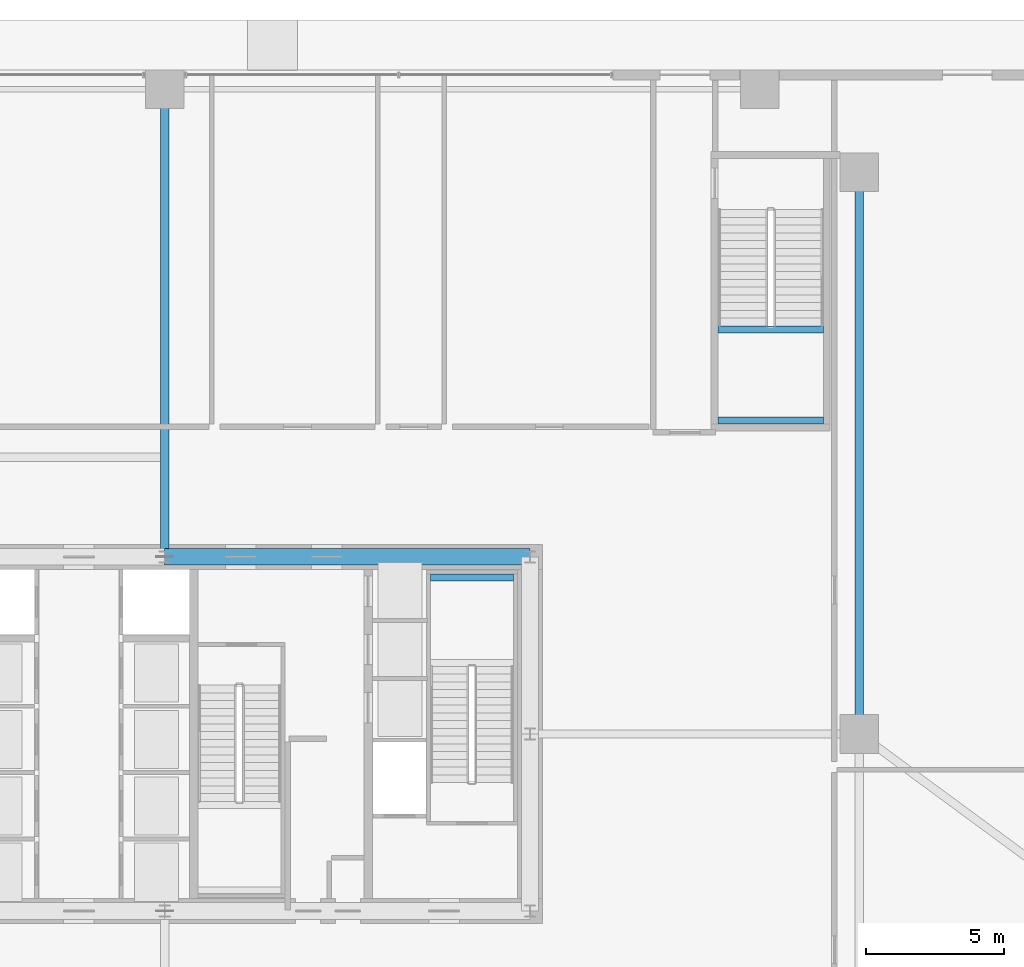
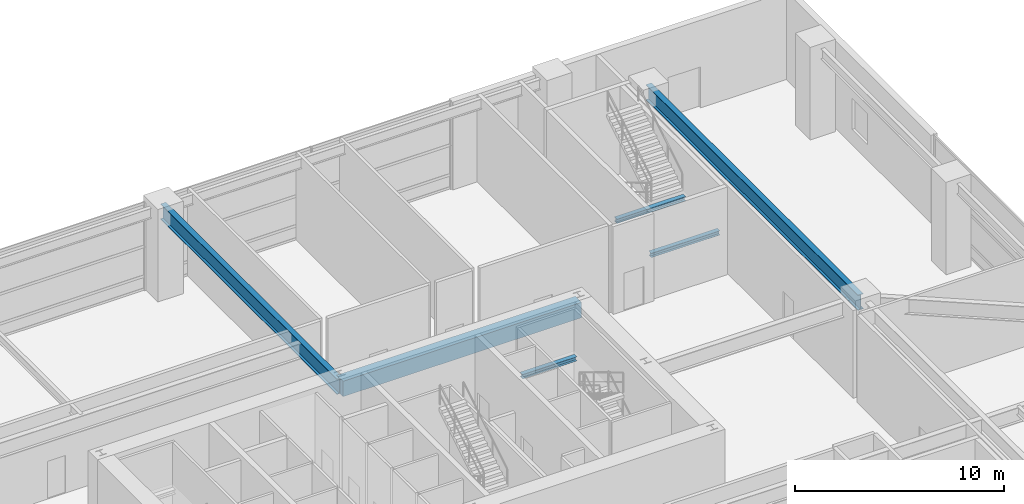
# One storey, part 15 of 32: 6 beams.
"""IFC4 building model written with IfcOpenShell, lengths in metres."""

import ifcopenshell
import ifcopenshell.guid

model = None  # the IFC model being written
_history = None  # IfcOwnerHistory: only IFC2X3 demands one
_inside = {}  # id of a spatial element -> (the spatial element, [elements in it])
_under = {}  # id of a project, library or spatial element -> (it, [spatial elements below it])
_declared = {}  # id of a project -> (the project, [libraries it declares])
_typed = {}  # id of a type object -> (the type object, [elements of that type])
_made_of = {}  # id of a material, layer set ... -> (it, [elements and type objects made of it])


def new_model(schema):
    """Start an empty IFC model of exactly this schema.

    Asked for "IFC4X3", IfcOpenShell would pick the latest addendum, in which some entities
    have other attributes; the version numbers below select the first issue.
    IFC2X3 requires an IfcOwnerHistory on every rooted entity: one is made here for all.
    """
    global model, _history
    if schema == "IFC4X3":
        model = ifcopenshell.file(schema_version=(4, 3, 0, 0))
    else:
        model = ifcopenshell.file(schema=schema)
    _inside.clear()
    _under.clear()
    _declared.clear()
    _typed.clear()
    _made_of.clear()
    _history = None
    if model.schema == "IFC2X3":
        org = make("IfcOrganization", Name="unknown")
        user = make(
            "IfcPersonAndOrganization",
            ThePerson=make("IfcPerson", FamilyName="unknown"),
            TheOrganization=org,
        )
        app = make(
            "IfcApplication",
            ApplicationDeveloper=org,
            Version="unknown",
            ApplicationFullName="unknown",
            ApplicationIdentifier="unknown",
        )
        _history = make(
            "IfcOwnerHistory",
            OwningUser=user,
            OwningApplication=app,
            ChangeAction="ADDED",
            CreationDate=0,
        )
    return model


def make(cls, **values):
    """One entity of the class cls with the attributes given. An attribute that is None is left unset."""
    return model.create_entity(
        cls, **{name: value for name, value in values.items() if value is not None}
    )


def rooted(cls, **values):
    """An entity with a GlobalId (a new one), such as an element, a storey or a relation."""
    return make(cls, GlobalId=ifcopenshell.guid.new(), OwnerHistory=_history, **values)


def si_unit(unit_type, name, prefix=None):
    """IfcSIUnit, for example si_unit("LENGTHUNIT", "METRE", prefix="MILLI")."""
    return make("IfcSIUnit", UnitType=unit_type, Prefix=prefix, Name=name)


def assignment(units):
    """IfcUnitAssignment: the units of a project."""
    return None if units is None else make("IfcUnitAssignment", Units=units)


def point(xyz):
    """IfcCartesianPoint."""
    return None if xyz is None else make("IfcCartesianPoint", Coordinates=xyz)


def direction(xyz):
    """IfcDirection."""
    return None if xyz is None else make("IfcDirection", DirectionRatios=xyz)


def frame(location, z_axis=None, x_axis=None):
    """IfcAxis2Placement3D, a coordinate frame: its origin and axes. An axis left out is left unset."""
    return make(
        "IfcAxis2Placement3D",
        Location=point(location),
        Axis=direction(z_axis),
        RefDirection=direction(x_axis),
    )


def frame_2d(location, x_axis=None):
    """IfcAxis2Placement2D, a coordinate frame in the plane: its origin and x axis."""
    return make(
        "IfcAxis2Placement2D", Location=point(location), RefDirection=direction(x_axis)
    )


def origin():
    """The frame at (0, 0, 0) with its axes left unset."""
    return frame((0.0, 0.0, 0.0))


def origin_2d():
    """The frame at (0, 0) in the plane with its x axis left unset."""
    return frame_2d((0.0, 0.0))


def place(relative_to, where):
    """IfcLocalPlacement: puts the frame where relative to a parent placement (None: the world)."""
    return make(
        "IfcLocalPlacement", PlacementRelTo=relative_to, RelativePlacement=where
    )


def context(
    kind, dimensions, precision=None, world=None, true_north=None, identifier=None
):
    """IfcGeometricRepresentationContext, for example the 3D "Model" context."""
    return make(
        "IfcGeometricRepresentationContext",
        ContextIdentifier=identifier,
        ContextType=kind,
        CoordinateSpaceDimension=dimensions,
        Precision=precision,
        WorldCoordinateSystem=world,
        TrueNorth=true_north,
    )


def subcontext(parent, identifier, kind, view, scale=None):
    """IfcGeometricRepresentationSubContext, for example "Body" below "Model"."""
    return make(
        "IfcGeometricRepresentationSubContext",
        ContextIdentifier=identifier,
        ContextType=kind,
        ParentContext=parent,
        TargetScale=scale,
        TargetView=view,
    )


def project(units=None, contexts=None):
    """IfcProject with its units and contexts."""
    return rooted(
        "IfcProject",
        Name="project",
        RepresentationContexts=contexts,
        UnitsInContext=assignment(units),
    )


def spatial(cls, under=None, at=None, **own):
    """A site, building, storey or space (cls), placed at a placement, below another one or the project."""
    s = rooted(cls, ObjectPlacement=at, **own)
    if under is not None:
        _under.setdefault(under.id(), (under, []))[1].append(s)
    return s


def profile(cls, at=None, kind="AREA", **sizes):
    """A parametric profile (cls). Its sizes go by their IFC names, for example OverallWidth=200.0."""
    return make(cls, ProfileType=kind, Position=at, **sizes)


def rectangle(**sizes):
    """IfcRectangleProfileDef."""
    return profile("IfcRectangleProfileDef", **sizes)


def i_section(**sizes):
    """IfcIShapeProfileDef."""
    return profile("IfcIShapeProfileDef", **sizes)


def extrude(swept, where, along, depth):
    """IfcExtrudedAreaSolid: the profile swept, set in the frame where, extruded along a direction by depth."""
    return make(
        "IfcExtrudedAreaSolid",
        SweptArea=swept,
        Position=where,
        ExtrudedDirection=direction(along),
        Depth=depth,
    )


def shape(context_of_items, identifier, shape_type, items):
    """IfcShapeRepresentation: the items that make up one representation, for example the "Body"."""
    return make(
        "IfcShapeRepresentation",
        ContextOfItems=context_of_items,
        RepresentationIdentifier=identifier,
        RepresentationType=shape_type,
        Items=items,
    )


def source(mapping_origin, context_of_items, identifier, shape_type, items):
    """IfcRepresentationMap: a shape defined once, which mapped items show again and again."""
    return make(
        "IfcRepresentationMap",
        MappingOrigin=mapping_origin,
        MappedRepresentation=shape(context_of_items, identifier, shape_type, items),
    )


def transform(
    local_origin,
    x_axis=None,
    y_axis=None,
    z_axis=None,
    scale=None,
    scale2=None,
    scale3=None,
    uniform=True,
):
    """IfcCartesianTransformationOperator3D, or its non-uniform kind. x_axis, y_axis, z_axis: its Axis1, 2, 3."""
    if uniform:
        return make(
            "IfcCartesianTransformationOperator3D",
            Axis1=direction(x_axis),
            Axis2=direction(y_axis),
            LocalOrigin=point(local_origin),
            Scale=scale,
            Axis3=direction(z_axis),
        )
    return make(
        "IfcCartesianTransformationOperator3DnonUniform",
        Axis1=direction(x_axis),
        Axis2=direction(y_axis),
        LocalOrigin=point(local_origin),
        Scale=scale,
        Axis3=direction(z_axis),
        Scale2=scale2,
        Scale3=scale3,
    )


def mapped(mapping_source, mapping_target):
    """IfcMappedItem: shows the shape of a source again, moved by a transform."""
    return make(
        "IfcMappedItem", MappingSource=mapping_source, MappingTarget=mapping_target
    )


def material(Name=None, Category=None):
    """IfcMaterial."""
    return make("IfcMaterial", Name=Name, Category=Category)


def material_profile(
    of_material, cross_section, Name=None, Category=None, Priority=None
):
    """IfcMaterialProfile: a cross section and its material."""
    return make(
        "IfcMaterialProfile",
        Name=Name,
        Material=of_material,
        Profile=cross_section,
        Priority=Priority,
        Category=Category,
    )


def profile_set(profiles, Name=None, composite=None):
    """IfcMaterialProfileSet."""
    return make(
        "IfcMaterialProfileSet",
        Name=Name,
        MaterialProfiles=profiles,
        CompositeProfile=composite,
    )


def made_of(thing, what):
    """Note that an element or type object is made of a material, layer set ...; save() writes the relation."""
    if what is not None:
        _made_of.setdefault(what.id(), (what, []))[1].append(thing)
    return thing


def type_object(cls, material=None, **own):
    """A type object (cls), such as IfcWallType, which elements share."""
    return made_of(rooted(cls, **own), material)


def element(
    cls,
    number,
    at=None,
    inside=None,
    cuts=None,
    type_object=None,
    material=None,
    context=None,
    identifier="Body",
    shape_type=None,
    held_by="IfcProductDefinitionShape",
    body=None,
    shapes=None,
    **own,
):
    """One element of the class cls, such as IfcWall. Its Tag is "e" and its number.

    at: its placement. inside: the storey or other place that contains it. cuts: it is an
    opening in that element (IfcRelVoidsElement). A single representation is given by context,
    identifier, shape_type and body (its items); several are given by shapes. held_by: the class
    of the entity that holds the representations. save() writes the other relations.
    """
    e = rooted(cls, Tag="e%d" % number, ObjectPlacement=at, **own)
    if body is not None:
        shapes = [shape(context, identifier, shape_type, body)]
    if shapes is not None:
        e.Representation = make(held_by, Representations=shapes)
    if inside is not None:
        _inside.setdefault(inside.id(), (inside, []))[1].append(e)
    if cuts is not None:
        rooted(
            "IfcRelVoidsElement", RelatingBuildingElement=cuts, RelatedOpeningElement=e
        )
    if type_object is not None:
        _typed.setdefault(type_object.id(), (type_object, []))[1].append(e)
    return made_of(e, material)


def aggregate(whole, parts):
    """IfcRelAggregates: a whole, such as a stair, and the parts it consists of."""
    return rooted("IfcRelAggregates", RelatingObject=whole, RelatedObjects=parts)


def save(model, path):
    """Write the relations noted so far, then the file.

    IfcRelAggregates (storeys below a building ...), IfcRelContainedInSpatialStructure (elements
    in a storey), IfcRelDefinesByType, IfcRelAssociatesMaterial and IfcRelDeclares: one each for
    every whole, place, type object, material and project.
    """
    for whole, parts in _under.values():
        aggregate(whole, parts)
    for where, things in _inside.values():
        rooted(
            "IfcRelContainedInSpatialStructure",
            RelatedElements=things,
            RelatingStructure=where,
        )
    for kind, things in _typed.values():
        rooted("IfcRelDefinesByType", RelatedObjects=things, RelatingType=kind)
    for what, things in _made_of.values():
        rooted("IfcRelAssociatesMaterial", RelatedObjects=things, RelatingMaterial=what)
    for by, libraries in _declared.values():
        rooted("IfcRelDeclares", RelatingContext=by, RelatedDefinitions=libraries)
    model.write(path)


model = new_model("IFC4")

# Units and contexts
model_context = context("Model", 3, precision=1e-05, world=origin(), true_north=direction((0.0, 1.0)))
body_context = subcontext(model_context, "Body", "Model", "MODEL_VIEW")
ifc_project = project(units=[si_unit("LENGTHUNIT", "METRE"), si_unit("AREAUNIT", "SQUARE_METRE"), si_unit("VOLUMEUNIT", "CUBIC_METRE"), si_unit("PLANEANGLEUNIT", "RADIAN"), si_unit("MASSUNIT", "GRAM", prefix="KILO"), si_unit("THERMODYNAMICTEMPERATUREUNIT", "KELVIN"), si_unit("POWERUNIT", "WATT")], contexts=[model_context])

# Site, building, storey
site_placement = place(None, origin())
site = spatial("IfcSite", under=ifc_project, at=site_placement, CompositionType="ELEMENT")
building_placement = place(site_placement, origin())
building = spatial("IfcBuilding", under=site, at=building_placement, Name="Yuzanri Waterfront Tower", CompositionType="ELEMENT")
storey_placement = place(building_placement, origin())
storey = spatial("IfcBuildingStorey", under=building, at=storey_placement, Name="L01", CompositionType="ELEMENT", Elevation=0.0)

# Beams
ifc_material_1 = material(Name="Concrete C60", Category="concrete")
ifc_material_profile_1 = material_profile(ifc_material_1, rectangle(XDim=0.60009765625, YDim=0.89990234375, at=origin_2d()), Name="RC 600x900")
ifc_profile_set_1 = profile_set([ifc_material_profile_1], Name="Concrete C60")
beam_type_1 = type_object("IfcBeamType", Name="Core Coupling Lintel Concrete C60 600x900", PredefinedType="LINTEL", material=ifc_profile_set_1)
shared_shape_1 = source(origin(), body_context, "Body", "SweptSolid", [
    extrude(rectangle(XDim=0.60009765625, YDim=0.89990234375, at=origin_2d()), origin(), (0.0, 0.0, 1.0), 13.199951171875),
])
beam_1_placement = place(storey_placement, frame((37.0, 32.199951171875, 4.669921875), z_axis=(1.0, 0.0, 0.0), x_axis=(0.0, 1.0, 0.0)))
element("IfcBeam", 1, at=beam_1_placement, inside=storey, type_object=beam_type_1, Name="L01 Core Tie Beam CN2", PredefinedType="LINTEL", context=body_context, shape_type="MappedRepresentation", body=[
    mapped(shared_shape_1, transform((0.0, 0.0, 0.0), scale=1.0)),
])
ifc_material_2 = material(Name="Steel Q355B", Category="steel")
ifc_material_profile_2 = material_profile(ifc_material_2, i_section(OverallWidth=0.300048828125, OverallDepth=0.89990234375, WebThickness=0.01611328125, FlangeThickness=0.028076171875, at=origin_2d()), Name="HN 900x300x16x28")
ifc_profile_set_2 = profile_set([ifc_material_profile_2], Name="Steel Q355B")
beam_type_2 = type_object("IfcBeamType", Name="Primary Podium Girder Q355B HN 900x300", PredefinedType="BEAM", material=ifc_profile_set_2)
shared_shape_2 = source(origin(), body_context, "Body", "SweptSolid", [
    extrude(i_section(OverallWidth=0.300048828125, OverallDepth=0.89990234375, WebThickness=0.01611328125, FlangeThickness=0.028076171875, at=origin_2d()), origin(), (0.0, 0.0, 1.0), 20.300048828125),
])
beam_2_placement = place(storey_placement, frame((62.10009765625, 25.800048828125, 4.669921875), z_axis=(0.0, 1.0, 0.0), x_axis=(-1.0, 0.0, 0.0)))
element("IfcBeam", 2, at=beam_2_placement, inside=storey, type_object=beam_type_2, Name="L01 Podium East Spine N", PredefinedType="BEAM", context=body_context, shape_type="MappedRepresentation", body=[
    mapped(shared_shape_2, transform((0.0, 0.0, 0.0), scale=1.0)),
])
shared_shape_3 = source(origin(), body_context, "Body", "SweptSolid", [
    extrude(i_section(OverallWidth=0.300048828125, OverallDepth=0.89990234375, WebThickness=0.01611328125, FlangeThickness=0.028076171875, at=origin_2d()), origin(), (0.0, 0.0, 1.0), 16.900146484375),
])
beam_3_placement = place(storey_placement, frame((37.0, 32.199951171875, 4.669921875), z_axis=(0.0, 1.0, 0.0), x_axis=(-1.0, 0.0, 0.0)))
element("IfcBeam", 3, at=beam_3_placement, inside=storey, type_object=beam_type_2, Name="L01 North Core Link Girder", PredefinedType="BEAM", context=body_context, shape_type="MappedRepresentation", body=[
    mapped(shared_shape_3, transform((0.0, 0.0, 0.0), scale=1.0)),
])
ifc_material_3 = material(Name="Steel Q355B", Category="steel")
ifc_material_profile_3 = material_profile(ifc_material_3, i_section(OverallWidth=0.25, OverallDepth=0.25, WebThickness=0.009033203125, FlangeThickness=0.013916015625, at=origin_2d()), Name="HW 250x250x9x14")
ifc_profile_set_3 = profile_set([ifc_material_profile_3], Name="Steel Q355B")
beam_type_3 = type_object("IfcBeamType", Name="Stair Landing Support Beam Q355B HW 250x250", PredefinedType="BEAM", material=ifc_profile_set_3)
shared_shape_4 = source(origin(), body_context, "Body", "SweptSolid", [
    extrude(i_section(OverallWidth=0.25, OverallDepth=0.25, WebThickness=0.009033203125, FlangeThickness=0.013916015625, at=origin_2d()), origin(), (0.0, 0.0, 1.0), 3.0),
])
beam_4_placement = place(storey_placement, frame((46.60009765625, 31.449951171875, 2.375), z_axis=(1.0, 0.0, 0.0), x_axis=(0.0, 1.0, 0.0)))
element("IfcBeam", 4, at=beam_4_placement, inside=storey, type_object=beam_type_3, Name="L01 Stair Landing Support Beam ST-02-L01-L1-2", PredefinedType="BEAM", context=body_context, shape_type="MappedRepresentation", body=[
    mapped(shared_shape_4, transform((0.0, 0.0, 0.0), scale=1.0)),
])
shared_shape_5 = source(origin(), body_context, "Body", "SweptSolid", [
    extrude(i_section(OverallWidth=0.25, OverallDepth=0.25, WebThickness=0.009033203125, FlangeThickness=0.013916015625, at=origin_2d()), origin(), (0.0, 0.0, 1.0), 3.800048828125),
])
for number, where, z_axis, x_axis, name in (
    (5, (57.0, 37.1298828125, 2.375), (1.0, 0.0, 0.0), (0.0, 1.0, 0.0), "L01 Stair Landing Support Beam PST-03-L01-L1-1"),
    (6, (57.0, 40.419921875, 2.375), (1.0, 0.0, 0.0), (0.0, 1.0, 0.0), "L01 Stair Landing Support Beam PST-03-L01-L1-2"),
):
    element("IfcBeam", number, at=place(storey_placement, frame(where, z_axis=z_axis, x_axis=x_axis)), inside=storey, type_object=beam_type_3, Name=name, PredefinedType="BEAM", context=body_context, shape_type="MappedRepresentation", body=[
        mapped(shared_shape_5, transform((0.0, 0.0, 0.0), scale=1.0)),
    ])

save(model, "model.ifc")
